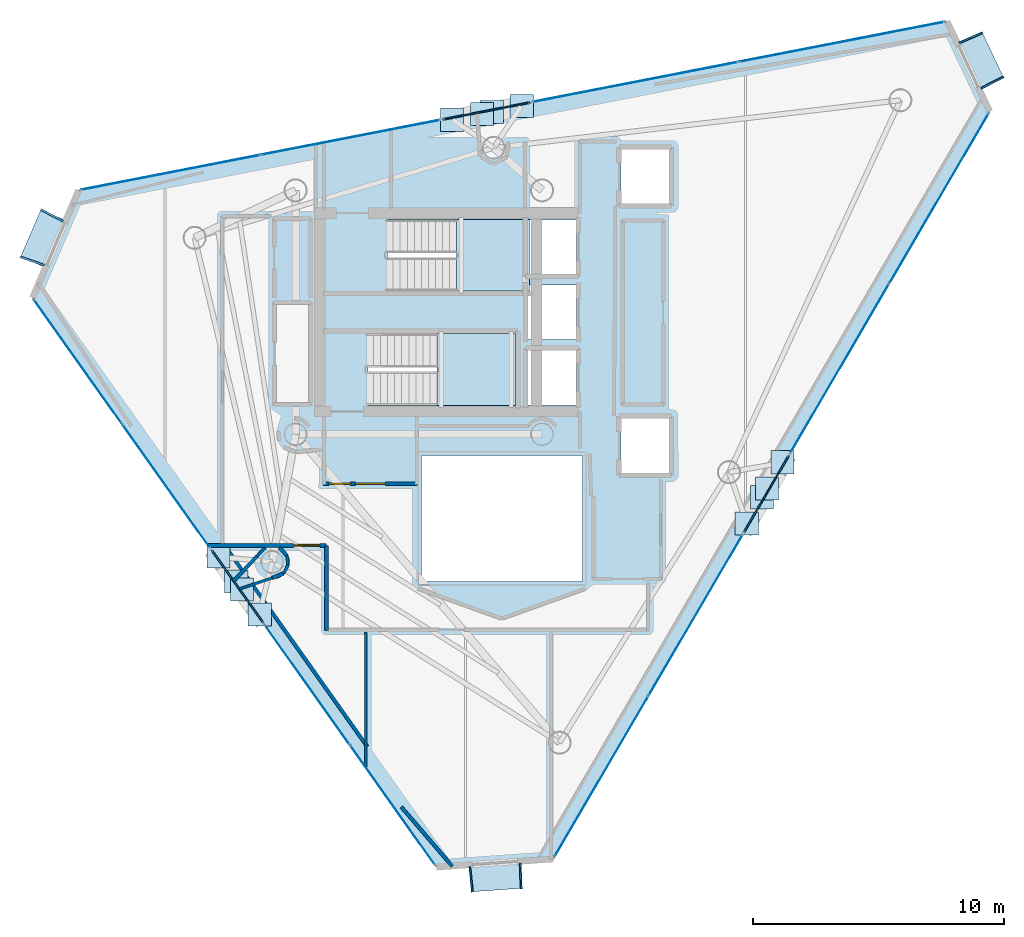
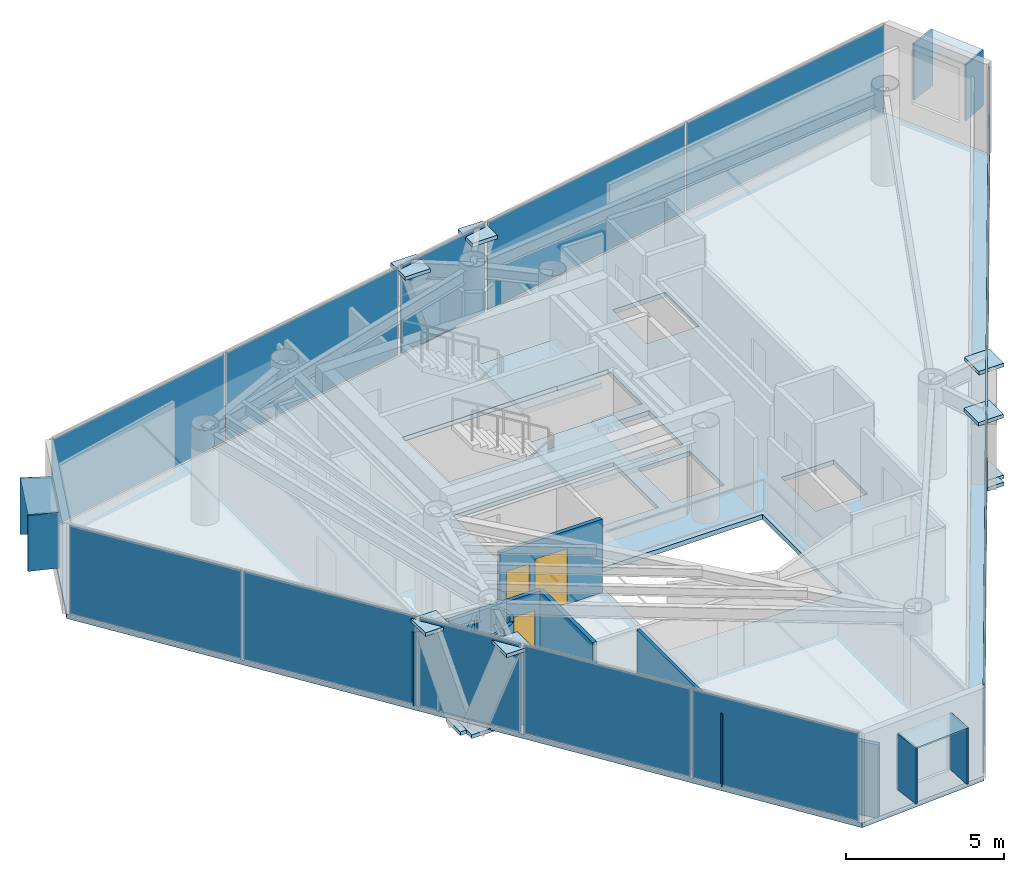
# One storey, part 17 of 22: 36 plates, 13 walls, 3 doors, 3 slabs, 3 openings, 11 elements without a shape of their own.
"""IFC4 building model written with IfcOpenShell, lengths in metres."""

from ifc_helpers import new_model, si_unit, direction, frame, frame_2d, origin, origin_2d, place, context, subcontext, project, spatial, polyline, rectangle, outline, extrude, material, layer, layer_set, type_object, element, fill, aggregate, save


model = new_model("IFC4")

# Units and contexts
model_context = context("Model", 3, precision=1e-05, world=origin(), true_north=direction((0.0, 1.0)))
body_context = subcontext(model_context, "Body", "Model", "MODEL_VIEW")
ifc_project = project(units=[si_unit("LENGTHUNIT", "METRE"), si_unit("AREAUNIT", "SQUARE_METRE"), si_unit("VOLUMEUNIT", "CUBIC_METRE"), si_unit("PLANEANGLEUNIT", "RADIAN"), si_unit("MASSUNIT", "GRAM", prefix="KILO")], contexts=[model_context])

# Site, building, storey
site_placement = place(None, origin())
site = spatial("IfcSite", under=ifc_project, at=site_placement, CompositionType="ELEMENT")
building_placement = place(site_placement, origin())
building = spatial("IfcBuilding", under=site, at=building_placement, Name="Qianvela Tower", CompositionType="ELEMENT")
storey_placement = place(building_placement, frame((0.0, 0.0, 299.10009765625)))
storey = spatial("IfcBuildingStorey", under=building, at=storey_placement, Name="L77", CompositionType="ELEMENT", Elevation=299.10009765625)

# Curtain wall, plate
ifc_material_1 = material(Name="Anodised Architectural Aluminium and Insulated Spandrel Panel", Category="aluminium")
ifc_layer_1 = layer(ifc_material_1, 0.179931640625)
ifc_layer_set_1 = layer_set([ifc_layer_1], Name="Anodised Architectural Aluminium and Insulated Spandrel Panel")
curtain_wall_type_1 = type_object("IfcCurtainWallType", Name="CW-BRACEBAY", PredefinedType="USERDEFINED", material=ifc_layer_set_1)
curtain_wall_1_placement = place(storey_placement, origin())
curtain_wall_1 = element("IfcCurtainWall", 1, at=curtain_wall_1_placement, inside=storey, type_object=curtain_wall_type_1, Name="L77 CW-BRACEBAY Curtain Wall 02B", ObjectType="CURTAIN_WALL_SYSTEM", PredefinedType="USERDEFINED")
ifc_material_2 = material(Name="Insulated Aluminium Spandrel Panel with Mineral-Wool Backpan", Category="aluminium")
ifc_layer_2 = layer(ifc_material_2, 0.06005859375)
ifc_layer_set_2 = layer_set([ifc_layer_2], Name="Insulated Aluminium Spandrel Panel with Mineral-Wool Backpan")
plate_type_1 = type_object("IfcPlateType", Name="CW-BRACEBAY-PNL", PredefinedType="CURTAIN_PANEL", material=ifc_layer_set_2)
plate_1_placement = place(storey_placement, frame((36.189697265625, 36.707275390625, 0.06494140625), z_axis=(0.0, 0.0, 1.0), x_axis=(-0.98160283963, -0.190934190834, 0.0)))
plate_1 = element("IfcPlate", 2, at=plate_1_placement, type_object=plate_type_1, Name="CW-9 panel 1.1", PredefinedType="CURTAIN_PANEL", context=body_context, shape_type="SweptSolid", body=[
    extrude(rectangle(XDim=3.52001953125, YDim=0.06005859375, at=origin_2d()), origin(), (0.0, 0.0, 1.0), 3.389892578125),
])
aggregate(curtain_wall_1, [plate_1])

curtain_wall_2_placement = place(storey_placement, origin())
curtain_wall_2 = element("IfcCurtainWall", 3, at=curtain_wall_2_placement, inside=storey, type_object=curtain_wall_type_1, Name="L77 CW-BRACEBAY Curtain Wall 04B", ObjectType="CURTAIN_WALL_SYSTEM", PredefinedType="USERDEFINED")
plate_2_placement = place(storey_placement, frame((26.290283203125, 17.796630859375, 0.06494140625), z_axis=(0.0, 0.0, 1.0), x_axis=(0.578720628429, -0.815525863619, 0.0)))
plate_2 = element("IfcPlate", 4, at=plate_2_placement, type_object=plate_type_1, Name="CW-9 panel 1.1", PredefinedType="CURTAIN_PANEL", context=body_context, shape_type="SweptSolid", body=[
    extrude(rectangle(XDim=3.530029296875, YDim=0.06005859375, at=origin_2d()), origin(), (0.0, 0.0, 1.0), 3.389892578125),
])
aggregate(curtain_wall_2, [plate_2])

curtain_wall_3_placement = place(storey_placement, origin())
curtain_wall_3 = element("IfcCurtainWall", 5, at=curtain_wall_3_placement, inside=storey, type_object=curtain_wall_type_1, Name="L77 CW-BRACEBAY Curtain Wall 06B", ObjectType="CURTAIN_WALL_SYSTEM", PredefinedType="USERDEFINED")
plate_3_placement = place(storey_placement, frame((47.320556640625, 21.478515625, 0.06494140625), z_axis=(0.0, 0.0, 1.0), x_axis=(0.504330889305, 0.863510482909, 0.0)))
plate_3 = element("IfcPlate", 6, at=plate_3_placement, type_object=plate_type_1, Name="CW-9 panel 1.1", PredefinedType="CURTAIN_PANEL", context=body_context, shape_type="SweptSolid", body=[
    extrude(rectangle(XDim=3.52001953125, YDim=0.06005859375, at=origin_2d()), origin(), (0.0, 0.0, 1.0), 3.389892578125),
])
aggregate(curtain_wall_3, [plate_3])

# Curtain wall, plates
ifc_material_3 = material(Name="Anodised Architectural Aluminium and Low-E Glass", Category="aluminium")
ifc_layer_3 = layer(ifc_material_3, 0.14990234375)
ifc_layer_set_3 = layer_set([ifc_layer_3], Name="Anodised Architectural Aluminium and Low-E Glass")
curtain_wall_type_2 = type_object("IfcCurtainWallType", Name="CW-COLIV-Z78", PredefinedType="USERDEFINED", material=ifc_layer_set_3)
curtain_wall_4_placement = place(storey_placement, origin())
curtain_wall_4 = element("IfcCurtainWall", 7, at=curtain_wall_4_placement, inside=storey, type_object=curtain_wall_type_2, Name="L77 CW-COLIV-Z78 Curtain Wall 02A", ObjectType="CURTAIN_WALL_SYSTEM", PredefinedType="USERDEFINED")
ifc_material_4 = material(Name="Double-Silver Low-E Insulated Glass", Category="glass")
ifc_layer_4 = layer(ifc_material_4, 0.02587890625)
ifc_layer_set_4 = layer_set([ifc_layer_4], Name="Double-Silver Low-E Insulated Glass")
plate_type_2 = type_object("IfcPlateType", Name="CW-COLIV-Z78-PNL", PredefinedType="CURTAIN_PANEL", material=ifc_layer_set_4)
plate_4_placement = place(storey_placement, frame((50.320068359375, 39.45556640625, 0.06005859375), z_axis=(0.0, 0.0, 1.0), x_axis=(-0.981603694842, -0.190929794093, 0.0)))
plate_4 = element("IfcPlate", 8, at=plate_4_placement, type_object=plate_type_2, Name="CW-6 panel 1.1", PredefinedType="CURTAIN_PANEL", context=body_context, shape_type="SweptSolid", body=[
    extrude(rectangle(XDim=8.300048828125, YDim=0.02587890625, at=origin_2d()), origin(), (0.0, 0.0, 1.0), 3.39990234375),
])
plate_5_placement = place(storey_placement, frame((42.11376953125, 37.859619140625, 0.06005859375), z_axis=(0.0, 0.0, 1.0), x_axis=(-0.981603694842, -0.190929794093, 0.0)))
plate_5 = element("IfcPlate", 9, at=plate_5_placement, type_object=plate_type_2, Name="CW-6 panel 2.1", PredefinedType="CURTAIN_PANEL", context=body_context, shape_type="SweptSolid", body=[
    extrude(rectangle(XDim=8.300048828125, YDim=0.02587890625, at=origin_2d()), origin(), (0.0, 0.0, 1.0), 3.39990234375),
])
aggregate(curtain_wall_4, [plate_4, plate_5])

curtain_wall_5_placement = place(storey_placement, origin())
curtain_wall_5 = element("IfcCurtainWall", 10, at=curtain_wall_5_placement, inside=storey, type_object=curtain_wall_type_2, Name="L77 CW-COLIV-Z78 Curtain Wall 02C", ObjectType="CURTAIN_WALL_SYSTEM", PredefinedType="USERDEFINED")
plate_6_placement = place(storey_placement, frame((30.791015625, 35.6572265625, 0.06005859375), z_axis=(0.0, 0.0, 1.0), x_axis=(-0.981603158363, -0.190932552207, 0.0)))
plate_6 = element("IfcPlate", 11, at=plate_6_placement, type_object=plate_type_2, Name="CW-6 panel 1.1", PredefinedType="CURTAIN_PANEL", context=body_context, shape_type="SweptSolid", body=[
    extrude(rectangle(XDim=7.22998046875, YDim=0.02587890625, at=origin_2d()), origin(), (0.0, 0.0, 1.0), 3.39990234375),
])
plate_7_placement = place(storey_placement, frame((23.63525390625, 34.265380859375, 0.06005859375), z_axis=(0.0, 0.0, 1.0), x_axis=(-0.981603158363, -0.190932552207, 0.0)))
plate_7 = element("IfcPlate", 12, at=plate_7_placement, type_object=plate_type_2, Name="CW-6 panel 2.1", PredefinedType="CURTAIN_PANEL", context=body_context, shape_type="SweptSolid", body=[
    extrude(rectangle(XDim=7.22998046875, YDim=0.02587890625, at=origin_2d()), origin(), (0.0, 0.0, 1.0), 3.39990234375),
])
aggregate(curtain_wall_5, [plate_6, plate_7])

curtain_wall_6_placement = place(storey_placement, origin())
curtain_wall_6 = element("IfcCurtainWall", 13, at=curtain_wall_6_placement, inside=storey, type_object=curtain_wall_type_2, Name="L77 CW-COLIV-Z78 Curtain Wall 04A", ObjectType="CURTAIN_WALL_SYSTEM", PredefinedType="USERDEFINED")
plate_8_placement = place(storey_placement, frame((19.944580078125, 26.739013671875, 0.06005859375), z_axis=(0.0, 0.0, 1.0), x_axis=(0.578712363681, -0.815531728459, 0.0)))
plate_8 = element("IfcPlate", 14, at=plate_8_placement, type_object=plate_type_2, Name="CW-6 panel 1.1", PredefinedType="CURTAIN_PANEL", context=body_context, shape_type="SweptSolid", body=[
    extrude(rectangle(XDim=6.010009765625, YDim=0.02587890625, at=origin_2d()), origin(), (0.0, 0.0, 1.0), 3.39990234375),
])
plate_9_placement = place(storey_placement, frame((23.45751953125, 21.788818359375, 0.06005859375), z_axis=(0.0, 0.0, 1.0), x_axis=(0.578712363681, -0.815531728459, 0.0)))
plate_9 = element("IfcPlate", 15, at=plate_9_placement, type_object=plate_type_2, Name="CW-6 panel 2.1", PredefinedType="CURTAIN_PANEL", context=body_context, shape_type="SweptSolid", body=[
    extrude(rectangle(XDim=6.010009765625, YDim=0.02587890625, at=origin_2d()), origin(), (0.0, 0.0, 1.0), 3.39990234375),
])
aggregate(curtain_wall_6, [plate_8, plate_9])

curtain_wall_7_placement = place(storey_placement, origin())
curtain_wall_7 = element("IfcCurtainWall", 16, at=curtain_wall_7_placement, inside=storey, type_object=curtain_wall_type_2, Name="L77 CW-COLIV-Z78 Curtain Wall 04C", ObjectType="CURTAIN_WALL_SYSTEM", PredefinedType="USERDEFINED")
plate_10_placement = place(storey_placement, frame((29.064453125, 13.887451171875, 0.06005859375), z_axis=(0.0, 0.0, 1.0), x_axis=(0.578718629985, -0.815527281768, 0.0)))
plate_10 = element("IfcPlate", 17, at=plate_10_placement, type_object=plate_type_2, Name="CW-6 panel 1.1", PredefinedType="CURTAIN_PANEL", context=body_context, shape_type="SweptSolid", body=[
    extrude(rectangle(XDim=5.80712890625, YDim=0.02587890625, at=origin_2d()), origin(), (0.0, 0.0, 1.0), 3.39990234375),
])
plate_11_placement = place(storey_placement, frame((32.459716796875, 9.1025390625, 0.06005859375), z_axis=(0.0, 0.0, 1.0), x_axis=(0.578718629985, -0.815527281768, 0.0)))
plate_11 = element("IfcPlate", 18, at=plate_11_placement, type_object=plate_type_2, Name="CW-6 panel 2.1", PredefinedType="CURTAIN_PANEL", context=body_context, shape_type="SweptSolid", body=[
    extrude(rectangle(XDim=5.80712890625, YDim=0.02587890625, at=origin_2d()), origin(), (0.0, 0.0, 1.0), 3.39990234375),
])
aggregate(curtain_wall_7, [plate_10, plate_11])

curtain_wall_8_placement = place(storey_placement, origin())
curtain_wall_8 = element("IfcCurtainWall", 19, at=curtain_wall_8_placement, inside=storey, type_object=curtain_wall_type_2, Name="L77 CW-COLIV-Z78 Curtain Wall 06A", ObjectType="CURTAIN_WALL_SYSTEM", PredefinedType="USERDEFINED")
plate_12_placement = place(storey_placement, frame((40.760498046875, 10.24658203125, 0.06005859375), z_axis=(0.0, 0.0, 1.0), x_axis=(0.5043332139, 0.863509125231, 0.0)))
plate_12 = element("IfcPlate", 20, at=plate_12_placement, type_object=plate_type_2, Name="CW-6 panel 1.1", PredefinedType="CURTAIN_PANEL", context=body_context, shape_type="SweptSolid", body=[
    extrude(rectangle(XDim=7.375, YDim=0.02587890625, at=origin_2d()), origin(), (0.0, 0.0, 1.0), 3.39990234375),
])
plate_13_placement = place(storey_placement, frame((44.51025390625, 16.666748046875, 0.06005859375), z_axis=(0.0, 0.0, 1.0), x_axis=(0.5043332139, 0.863509125231, 0.0)))
plate_13 = element("IfcPlate", 21, at=plate_13_placement, type_object=plate_type_2, Name="CW-6 panel 2.1", PredefinedType="CURTAIN_PANEL", context=body_context, shape_type="SweptSolid", body=[
    extrude(rectangle(XDim=7.375, YDim=0.02587890625, at=origin_2d()), origin(), (0.0, 0.0, 1.0), 3.39990234375),
])
aggregate(curtain_wall_8, [plate_12, plate_13])

curtain_wall_9_placement = place(storey_placement, origin())
curtain_wall_9 = element("IfcCurtainWall", 22, at=curtain_wall_9_placement, inside=storey, type_object=curtain_wall_type_2, Name="L77 CW-COLIV-Z78 Curtain Wall 06C", ObjectType="CURTAIN_WALL_SYSTEM", PredefinedType="USERDEFINED")
plate_14_placement = place(storey_placement, frame((50.23193359375, 26.463623046875, 0.06005859375), z_axis=(0.0, 0.0, 1.0), x_axis=(0.504332191357, 0.863509722447, 0.0)))
plate_14 = element("IfcPlate", 23, at=plate_14_placement, type_object=plate_type_2, Name="CW-6 panel 1.1", PredefinedType="CURTAIN_PANEL", context=body_context, shape_type="SweptSolid", body=[
    extrude(rectangle(XDim=7.775634765625, YDim=0.02587890625, at=origin_2d()), origin(), (0.0, 0.0, 1.0), 3.39990234375),
])
plate_15_placement = place(storey_placement, frame((54.183837890625, 33.229736328125, 0.06005859375), z_axis=(0.0, 0.0, 1.0), x_axis=(0.504332191357, 0.863509722447, 0.0)))
plate_15 = element("IfcPlate", 24, at=plate_15_placement, type_object=plate_type_2, Name="CW-6 panel 2.1", PredefinedType="CURTAIN_PANEL", context=body_context, shape_type="SweptSolid", body=[
    extrude(rectangle(XDim=7.775634765625, YDim=0.02587890625, at=origin_2d()), origin(), (0.0, 0.0, 1.0), 3.39990234375),
])
aggregate(curtain_wall_9, [plate_14, plate_15])

# Plates
ifc_material_5 = material(Name="Steel Q420GJC", Category="steel")
ifc_layer_5 = layer(ifc_material_5, 0.139892578125)
ifc_layer_set_5 = layer_set([ifc_layer_5], Name="Steel Q420GJC")
plate_type_3 = type_object("IfcPlateType", Name="PT-GUSSET-NODE-140", PredefinedType="USERDEFINED", material=ifc_layer_set_5)
for number, where, z_axis, x_axis, name in (
    (25, (36.4013671875, 36.6669921875, -0.271484375), (0.0, 0.0, 1.0), (1.0, 0.0, 0.0), "L77 Node Gusset Plate A"),
    (26, (37.5927734375, 36.898681640625, 3.20947265625), (0.0, 0.0, 1.0), (1.0, 0.0, 0.0), "L77 Node Gusset Plate B"),
    (27, (36.011474609375, 36.591064453125, -0.271484375), (0.0, 0.0, 1.0), (1.0, 0.0, 0.0), "L77 Node Gusset Plate A"),
    (28, (34.820068359375, 36.359375, 3.20947265625), (0.0, 0.0, 1.0), (1.0, 0.0, 0.0), "L77 Node Gusset Plate B"),
    (29, (26.241455078125, 18.003662109375, -0.271484375), (0.0, 0.0, 1.0), (1.0, 0.0, 0.0), "L77 Node Gusset Plate A"),
    (30, (25.5390625, 18.99365234375, 3.20947265625), (0.0, 0.0, 1.0), (1.0, 0.0, 0.0), "L77 Node Gusset Plate B"),
    (31, (26.47119140625, 17.679931640625, -0.271484375), (0.0, 0.0, 1.0), (1.0, 0.0, 0.0), "L77 Node Gusset Plate A"),
    (32, (27.173583984375, 16.68994140625, 3.20947265625), (0.0, 0.0, 1.0), (1.0, 0.0, 0.0), "L77 Node Gusset Plate B"),
    (33, (47.150634765625, 21.34619140625, -0.271484375), (0.0, 0.0, 1.0), (1.0, 0.0, 0.0), "L77 Node Gusset Plate A"),
    (34, (46.538330078125, 20.298095703125, 3.20947265625), (0.0, 0.0, 1.0), (1.0, 0.0, 0.0), "L77 Node Gusset Plate B"),
    (35, (47.350830078125, 21.68896484375, -0.271484375), (0.0, 0.0, 1.0), (1.0, 0.0, 0.0), "L77 Node Gusset Plate A"),
    (36, (47.962890625, 22.7373046875, 3.20947265625), (0.0, 0.0, 1.0), (1.0, 0.0, 0.0), "L77 Node Gusset Plate B"),
):
    element("IfcPlate", number, at=place(storey_placement, frame(where, z_axis=z_axis, x_axis=x_axis)), inside=storey, type_object=plate_type_3, Name=name, ObjectType="GUSSET_PLATE", PredefinedType="USERDEFINED", context=body_context, shape_type="SweptSolid", body=[
        extrude(rectangle(XDim=0.919921875, YDim=0.919921875, at=origin_2d()), origin(), (0.0, 0.0, 1.0), 0.139892578125),
    ])

# Slab
ifc_material_6 = material(Name="Concrete C40", Category="concrete")
ifc_layer_6 = layer(ifc_material_6, 0.179931640625)
ifc_layer_set_6 = layer_set([ifc_layer_6], Name="Concrete C40")
slab_type_1 = type_object("IfcSlabType", Name="SL-FLOOR-180", PredefinedType="FLOOR", material=ifc_layer_set_6)
slab_1_placement = place(storey_placement, frame((0.0, 0.0, -0.18017578125)))
element("IfcSlab", 37, at=slab_1_placement, inside=storey, type_object=slab_type_1, Name="L77 Composite Structural Floor Slab", PredefinedType="FLOOR", context=body_context, shape_type="SweptSolid", body=[
    extrude(outline(polyline([(56.2001953125, 36.681884765625), (54.501708984375, 40.26904296875), (19.97900390625, 33.55419921875), (18.14208984375, 29.279296875), (34.203857421875, 6.64501953125), (38.84521484375, 6.96728515625), (56.2001953125, 36.681884765625)]), holes=[polyline([(40.0, 23.0), (33.60009765625, 23.0), (33.60009765625, 18.0), (40.0, 18.0), (40.0, 23.0)]), polyline([(43.4599609375, 24.47998046875), (41.5400390625, 24.47998046875), (41.5400390625, 22.320068359375), (43.4599609375, 22.320068359375), (43.4599609375, 24.47998046875)]), polyline([(39.760009765625, 27.179931640625), (37.840087890625, 27.179931640625), (37.840087890625, 25.02001953125), (39.760009765625, 25.02001953125), (39.760009765625, 27.179931640625)]), polyline([(37.35009765625, 27.860107421875), (31.469970703125, 27.860107421875), (31.469970703125, 25.0), (37.35009765625, 25.0), (37.35009765625, 27.860107421875)]), polyline([(39.760009765625, 27.6201171875), (39.760009765625, 29.780029296875), (37.89990234375, 29.780029296875), (37.89990234375, 30.219970703125), (39.760009765625, 30.219970703125), (39.760009765625, 32.3798828125), (37.89990234375, 32.3798828125), (37.89990234375, 32.39990234375), (32.25, 32.39990234375), (32.25, 29.5400390625), (37.840087890625, 29.5400390625), (37.840087890625, 27.6201171875), (39.760009765625, 27.6201171875)]), polyline([(43.4599609375, 35.179931640625), (41.5400390625, 35.179931640625), (41.5400390625, 33.02001953125), (43.4599609375, 33.02001953125), (43.4599609375, 35.179931640625)])]), origin(), (0.0, 0.0, 1.0), 0.18017578125),
])

# Stair, slab
ifc_material_7 = material(Name="Concrete C40", Category="concrete")
stair_type = type_object("IfcStairType", Name="ST-DOGLEG-1350-R168-N22", PredefinedType="HALF_TURN_STAIR", material=ifc_material_7)
stair_1_placement = place(storey_placement, origin())
stair_1 = element("IfcStair", 38, at=stair_1_placement, inside=storey, type_object=stair_type, Name="L77 Smoke-Proof Core Stair ST-1", PredefinedType="HALF_TURN_STAIR")
ifc_material_8 = material(Name="Concrete C40", Category="concrete")
ifc_layer_7 = layer(ifc_material_8, 0.199951171875)
ifc_layer_set_7 = layer_set([ifc_layer_7], Name="Concrete C40")
slab_type_2 = type_object("IfcSlabType", Name="SL-STAIR-LANDING-200", PredefinedType="LANDING", material=ifc_layer_set_7)
slab_2_placement = place(storey_placement, frame((0.0, 0.0, 1.64990234375)))
slab_2 = element("IfcSlab", 39, at=slab_2_placement, type_object=slab_type_2, Name="ST-1 landing 1", PredefinedType="LANDING", context=body_context, shape_type="SweptSolid", body=[
    extrude(outline(polyline([(35.0, 29.5400390625), (37.89990234375, 29.5400390625), (37.89990234375, 32.39990234375), (35.0, 32.39990234375), (35.0, 29.5400390625)])), origin(), (0.0, 0.0, 1.0), 0.199951171875),
])
aggregate(stair_1, [slab_2])

stair_2_placement = place(storey_placement, origin())
stair_2 = element("IfcStair", 40, at=stair_2_placement, inside=storey, type_object=stair_type, Name="L77 Smoke-Proof Core Stair ST-2", PredefinedType="HALF_TURN_STAIR")
slab_3_placement = place(storey_placement, frame((0.0, 0.0, 1.64990234375)))
slab_3 = element("IfcSlab", 41, at=slab_3_placement, type_object=slab_type_2, Name="ST-2 landing 1", PredefinedType="LANDING", context=body_context, shape_type="SweptSolid", body=[
    extrude(outline(polyline([(34.219970703125, 25.0), (37.35009765625, 25.0), (37.35009765625, 27.860107421875), (34.219970703125, 27.860107421875), (34.219970703125, 25.0)])), origin(), (0.0, 0.0, 1.0), 0.199951171875),
])
aggregate(stair_2, [slab_3])

# Plates
ifc_material_9 = material(Name="Vitrified Architectural Terracotta Panel", Category="masonry")
ifc_layer_8 = layer(ifc_material_9, 0.06494140625)
ifc_layer_set_8 = layer_set([ifc_layer_8], Name="Vitrified Architectural Terracotta Panel")
plate_type_4 = type_object("IfcPlateType", Name="TERRACOTTA-SUNSHADE-HOOD-FOLD-B", PredefinedType="USERDEFINED", material=ifc_layer_set_8)
for number, where, z_axis, x_axis, name in (
    (42, (55.879638671875, 38.725830078125, 2.9599609375), (0.0, 0.0, 1.0), (-0.427962111881, 0.903796675583, 0.0), "L77 Terracotta Sunshade Hood FOLD-B"),
    (43, (36.565185546875, 6.222412109375, 2.9599609375), (0.0, 0.0, 1.0), (0.997596327725, 0.06929333957, 0.0), "L77 Terracotta Sunshade Hood FOLD-B"),
):
    element("IfcPlate", number, at=place(storey_placement, frame(where, z_axis=z_axis, x_axis=x_axis)), inside=storey, type_object=plate_type_4, Name=name, ObjectType="SUNSHADE", PredefinedType="USERDEFINED", context=body_context, shape_type="SweptSolid", body=[
        extrude(rectangle(XDim=2.0400390625, YDim=0.989990234375, at=origin_2d()), origin(), (0.0, 0.0, 1.0), 0.06005859375),
    ])
ifc_material_10 = material(Name="Vitrified Architectural Terracotta Panel", Category="masonry")
ifc_layer_9 = layer(ifc_material_10, 0.074951171875)
ifc_layer_set_9 = layer_set([ifc_layer_9], Name="Vitrified Architectural Terracotta Panel")
plate_type_5 = type_object("IfcPlateType", Name="TERRACOTTA-SUNSHADE-HOOD-FOLD-D", PredefinedType="USERDEFINED", material=ifc_layer_set_9)
plate_16_placement = place(storey_placement, frame((18.52294921875, 31.647705078125, 2.9599609375), z_axis=(0.0, 0.0, 1.0), x_axis=(-0.394806395604, -0.918764338658, 0.0)))
element("IfcPlate", 44, at=plate_16_placement, inside=storey, type_object=plate_type_5, Name="L77 Terracotta Sunshade Hood FOLD-D", ObjectType="SUNSHADE", PredefinedType="USERDEFINED", context=body_context, shape_type="SweptSolid", body=[
    extrude(rectangle(XDim=2.0400390625, YDim=0.989990234375, at=origin_2d()), origin(), (0.0, 0.0, 1.0), 0.06005859375),
])
ifc_material_11 = material(Name="Vitrified Architectural Terracotta Side Fin Panel", Category="masonry")
ifc_layer_10 = layer(ifc_material_11, 0.070068359375)
ifc_layer_set_10 = layer_set([ifc_layer_10], Name="Vitrified Architectural Terracotta Side Fin Panel")
plate_type_6 = type_object("IfcPlateType", Name="TERRACOTTA-SUNSHADE-STRUT-FOLD-B", PredefinedType="USERDEFINED", material=ifc_layer_set_10)
for number, where, z_axis, x_axis, name in (
    (45, (56.30322265625, 37.8310546875, 0.85009765625), (0.0, 0.0, 1.0), (-0.455363113146, 0.890305809925, 0.0), "L77 Terracotta Sunshade Side Fin HL FOLD-B"),
    (46, (55.455810546875, 39.62060546875, 0.85009765625), (0.0, 0.0, 1.0), (-0.400161899714, 0.916444463139, 0.0), "L77 Terracotta Sunshade Side Fin HR FOLD-B"),
    (47, (35.577392578125, 6.15380859375, 0.85009765625), (0.0, 0.0, 1.0), (0.995014924091, 0.099726129154, 0.0), "L77 Terracotta Sunshade Side Fin HL FOLD-B"),
    (48, (37.552734375, 6.291015625, 0.85009765625), (0.0, 0.0, 1.0), (0.999247155223, 0.03879591189, 0.0), "L77 Terracotta Sunshade Side Fin HR FOLD-B"),
):
    element("IfcPlate", number, at=place(storey_placement, frame(where, z_axis=z_axis, x_axis=x_axis)), inside=storey, type_object=plate_type_6, Name=name, ObjectType="SUNSHADE", PredefinedType="USERDEFINED", context=body_context, shape_type="SweptSolid", body=[
        extrude(rectangle(XDim=0.070068359375, YDim=1.010009765625, at=origin_2d()), origin(), (0.0, 0.0, 1.0), 2.159912109375),
    ])
ifc_material_12 = material(Name="Vitrified Architectural Terracotta Side Fin Panel", Category="masonry")
ifc_layer_11 = layer(ifc_material_12, 0.080078125)
ifc_layer_set_11 = layer_set([ifc_layer_11], Name="Vitrified Architectural Terracotta Side Fin Panel")
plate_type_7 = type_object("IfcPlateType", Name="TERRACOTTA-SUNSHADE-STRUT-FOLD-D", PredefinedType="USERDEFINED", material=ifc_layer_set_11)
for number, where, z_axis, x_axis, name in (
    (49, (18.913818359375, 32.557373046875, 0.85009765625), (0.0, 0.0, 1.0), (-0.461808989077, -0.886979400892, 0.0), "L77 Terracotta Sunshade Side Fin HL FOLD-D"),
    (50, (18.132080078125, 30.738037109375, 0.85009765625), (0.0, 0.0, 1.0), (-0.325632513111, -0.945496412688, 0.0), "L77 Terracotta Sunshade Side Fin HR FOLD-D"),
):
    element("IfcPlate", number, at=place(storey_placement, frame(where, z_axis=z_axis, x_axis=x_axis)), inside=storey, type_object=plate_type_7, Name=name, ObjectType="SUNSHADE", PredefinedType="USERDEFINED", context=body_context, shape_type="SweptSolid", body=[
        extrude(rectangle(XDim=0.080078125, YDim=1.010009765625, at=origin_2d()), origin(), (0.0, 0.0, 1.0), 2.159912109375),
    ])

# Wall, openings, doors
ifc_material_13 = material(Name="Fire-Rated Acoustic Gypsum Board")
ifc_layer_12 = layer(ifc_material_13, 0.14990234375)
ifc_layer_set_12 = layer_set([ifc_layer_12], Name="Fire-Rated Acoustic Gypsum Board")
wall_type_1 = type_object("IfcWallType", Name="WT-CORR-150", PredefinedType="PARTITIONING", material=ifc_layer_set_12)
wall_1_placement = place(storey_placement, frame((33.449951171875, 21.881103515625, 0.0), z_axis=(0.0, 0.0, 1.0), x_axis=(-1.0, 0.0, 0.0)))
wall_1 = element("IfcWall", 51, at=wall_1_placement, inside=storey, type_object=wall_type_1, Name="L77 Partition 6", PredefinedType="PARTITIONING", context=body_context, shape_type="SweptSolid", body=[
    extrude(rectangle(XDim=3.75, YDim=0.14990234375, at=frame_2d((1.875, 0.0))), origin(), (0.0, 0.0, 1.0), 2.83984375),
])
opening_1_placement = place(wall_1_placement, frame((1.27490234375, 0.0, 0.0)))
opening_1 = element("IfcOpeningElement", 52, at=opening_1_placement, cuts=wall_1, Name="Opening D-LB1", PredefinedType="OPENING", context=body_context, shape_type="SweptSolid", body=[
    extrude(rectangle(XDim=1.199951171875, YDim=2.14990234375, at=frame_2d((0.60009765625, 1.074951171875))), frame((0.0, 0.0849609375, 0.0), z_axis=(0.0, -1.0, 0.0), x_axis=(1.0, 0.0, 0.0)), (0.0, 0.0, 1.0), 0.169921875),
])
opening_2_placement = place(wall_1_placement, frame((2.659912109375, 0.0, 0.0)))
opening_2 = element("IfcOpeningElement", 53, at=opening_2_placement, cuts=wall_1, Name="Opening D-LB2", PredefinedType="OPENING", context=body_context, shape_type="SweptSolid", body=[
    extrude(rectangle(XDim=0.860107421875, YDim=2.050048828125, at=frame_2d((0.43017578125, 1.02490234375))), frame((0.0, 0.0849609375, 0.0), z_axis=(0.0, -1.0, 0.0), x_axis=(1.0, 0.0, 0.0)), (0.0, 0.0, 1.0), 0.169921875),
])
ifc_material_14 = material(Name="Glazed Fire-Rated Steel Frame", Category="steel")
door_type_1 = type_object("IfcDoorType", Name="DT-LOBBY-FD90", OperationType="NOTDEFINED", PredefinedType="DOOR", material=ifc_material_14)
door_1_placement = place(opening_1_placement, origin())
door_1 = element("IfcDoor", 54, at=door_1_placement, inside=storey, type_object=door_type_1, Name="L77 Door L77 Firefighting Lobby South to L77 Floor Corridor", OperationType="SINGLE_SWING_LEFT", OverallHeight=2.14990234375, OverallWidth=1.199951171875, PredefinedType="DOOR", context=body_context, shape_type="SweptSolid", body=[
    extrude(rectangle(XDim=1.199951171875, YDim=2.14990234375, at=frame_2d((0.60009765625, 1.074951171875))), frame((0.0, 0.02490234375, 0.0), z_axis=(0.0, -1.0, 0.0), x_axis=(1.0, 0.0, 0.0)), (0.0, 0.0, 1.0), 0.050048828125),
])
fill(opening_1, door_1)
ifc_material_15 = material(Name="Insulated Steel Fire Door Q355B", Category="steel")
door_type_2 = type_object("IfcDoorType", Name="DT-LOBBY-FD90-860", OperationType="NOTDEFINED", PredefinedType="DOOR", material=ifc_material_15)
door_2_placement = place(opening_2_placement, origin())
door_2 = element("IfcDoor", 55, at=door_2_placement, inside=storey, type_object=door_type_2, Name="L77 Door L77 Firefighting Lobby South to L77 Floor Corridor", OperationType="SINGLE_SWING_LEFT", OverallHeight=2.050048828125, OverallWidth=0.860107421875, PredefinedType="DOOR", context=body_context, shape_type="SweptSolid", body=[
    extrude(rectangle(XDim=0.860107421875, YDim=2.050048828125, at=frame_2d((0.43017578125, 1.02490234375))), frame((0.0, 0.02490234375, 0.0), z_axis=(0.0, -1.0, 0.0), x_axis=(1.0, 0.0, 0.0)), (0.0, 0.0, 1.0), 0.050048828125),
])
fill(opening_2, door_2)

# Wall
wall_2_placement = place(storey_placement, frame((29.8310546875, 16.050048828125, 0.0), z_axis=(0.0, 0.0, 1.0), x_axis=(0.0, 1.0, 0.0)))
element("IfcWall", 56, at=wall_2_placement, inside=storey, type_object=wall_type_1, Name="L77 Partition 71", PredefinedType="PARTITIONING", context=body_context, shape_type="SweptSolid", body=[
    extrude(rectangle(XDim=3.349853515625, YDim=0.14990234375, at=frame_2d((1.6748046875, 0.0))), origin(), (0.0, 0.0, 1.0), 2.83984375),
])

# Wall, opening, door
wall_3_placement = place(storey_placement, frame((29.800048828125, 19.430908203125, 0.0), z_axis=(0.0, 0.0, 1.0), x_axis=(-1.0, 0.0, 0.0)))
wall_3 = element("IfcWall", 57, at=wall_3_placement, inside=storey, type_object=wall_type_1, Name="L77 Partition 72", PredefinedType="PARTITIONING", context=body_context, shape_type="SweptSolid", body=[
    extrude(rectangle(XDim=4.689453125, YDim=0.14990234375, at=frame_2d((2.3447265625, 0.0))), origin(), (0.0, 0.0, 1.0), 2.83984375),
])
opening_3_placement = place(wall_3_placement, frame((0.22998046875, 0.0, 0.0)))
opening_3 = element("IfcOpeningElement", 58, at=opening_3_placement, cuts=wall_3, Name="Opening D-PL1", PredefinedType="OPENING", context=body_context, shape_type="SweptSolid", body=[
    extrude(rectangle(XDim=1.050048828125, YDim=2.14990234375, at=frame_2d((0.52490234375, 1.074951171875))), frame((0.0, 0.0849609375, 0.0), z_axis=(0.0, -1.0, 0.0), x_axis=(1.0, 0.0, 0.0)), (0.0, 0.0, 1.0), 0.169921875),
])
ifc_material_16 = material(Name="Insulated Steel Fire Door Q355B", Category="steel")
door_type_3 = type_object("IfcDoorType", Name="DT-PLANT-FD90", OperationType="NOTDEFINED", PredefinedType="DOOR", material=ifc_material_16)
door_3_placement = place(opening_3_placement, origin())
door_3 = element("IfcDoor", 59, at=door_3_placement, inside=storey, type_object=door_type_3, Name="L77 Door Tutorial Breakout Seminar L77-01 to L77 Floor Corridor", OperationType="SINGLE_SWING_LEFT", OverallHeight=2.14990234375, OverallWidth=1.050048828125, PredefinedType="DOOR", context=body_context, shape_type="SweptSolid", body=[
    extrude(rectangle(XDim=1.050048828125, YDim=2.14990234375, at=frame_2d((0.52490234375, 1.074951171875))), frame((0.0, 0.02490234375, 0.0), z_axis=(0.0, -1.0, 0.0), x_axis=(1.0, 0.0, 0.0)), (0.0, 0.0, 1.0), 0.050048828125),
])
fill(opening_3, door_3)

# Walls
ifc_material_17 = material(Name="Lightweight Gypsum Room Partition")
ifc_layer_13 = layer(ifc_material_17, 0.10498046875)
ifc_layer_set_13 = layer_set([ifc_layer_13], Name="Lightweight Gypsum Room Partition")
wall_type_2 = type_object("IfcWallType", Name="WT-PART-105", PredefinedType="PARTITIONING", material=ifc_layer_set_13)
wall_4_placement = place(storey_placement, frame((31.393798828125, 15.97509765625, 0.0), z_axis=(0.0, 0.0, 1.0), x_axis=(0.0, -1.0, 0.0)))
element("IfcWall", 60, at=wall_4_placement, inside=storey, type_object=wall_type_2, Name="L77 Partition 74", PredefinedType="PARTITIONING", context=body_context, shape_type="SweptSolid", body=[
    extrude(rectangle(XDim=5.39013671875, YDim=0.10498046875, at=frame_2d((2.695068359375, 0.0))), origin(), (0.0, 0.0, 1.0), 2.83984375),
])
wall_5_placement = place(storey_placement, frame((27.381103515625, 19.34130859375, 0.0), z_axis=(0.0, 0.0, 1.0), x_axis=(-0.689047004353, -0.724716652073, 0.0)))
element("IfcWall", 61, at=wall_5_placement, inside=storey, type_object=wall_type_2, Name="L77 Partition 77", PredefinedType="PARTITIONING", context=body_context, shape_type="SweptSolid", body=[
    extrude(rectangle(XDim=0.43115234375, YDim=0.10498046875, at=frame_2d((0.215576171875, 0.0))), origin(), (0.0, 0.0, 1.0), 2.83984375),
])
wall_6_placement = place(storey_placement, frame((26.35986328125, 17.69873046875, 0.0), z_axis=(0.0, 0.0, 1.0), x_axis=(0.947806372533, 0.318846483727, 0.0)))
element("IfcWall", 62, at=wall_6_placement, inside=storey, type_object=wall_type_2, Name="L77 Partition 80", PredefinedType="PARTITIONING", context=body_context, shape_type="SweptSolid", body=[
    extrude(rectangle(XDim=1.369873046875, YDim=0.10498046875, at=frame_2d((0.68505859375, 0.0))), origin(), (0.0, 0.0, 1.0), 2.83984375),
])
wall_7_placement = place(storey_placement, frame((28.299072265625, 18.657958984375, 0.0), z_axis=(0.0, 0.0, 1.0), x_axis=(-0.097865889817, 0.995199611942, 0.0)))
element("IfcWall", 63, at=wall_7_placement, inside=storey, type_object=wall_type_2, Name="L77 Partition 83", PredefinedType="PARTITIONING", context=body_context, shape_type="SweptSolid", body=[
    extrude(rectangle(XDim=0.354248046875, YDim=0.10498046875, at=frame_2d((0.17724609375, 0.0))), origin(), (0.0, 0.0, 1.0), 2.83984375),
])
ifc_material_18 = material(Name="Insulated Gypsum Stud Partition")
ifc_layer_14 = layer(ifc_material_18, 0.1201171875)
ifc_layer_set_14 = layer_set([ifc_layer_14], Name="Insulated Gypsum Stud Partition")
wall_type_3 = type_object("IfcWallType", Name="WT-PART-120", PredefinedType="PARTITIONING", material=ifc_layer_set_14)
wall_8_placement = place(storey_placement, frame((28.128662109375, 18.328125, 0.0), z_axis=(0.0, 0.0, 1.0), x_axis=(0.471589913721, 0.881817981942, 0.0)))
element("IfcWall", 64, at=wall_8_placement, inside=storey, type_object=wall_type_3, Name="L77 Partition 82", PredefinedType="PARTITIONING", context=body_context, shape_type="SweptSolid", body=[
    extrude(rectangle(XDim=0.35400390625, YDim=0.1201171875, at=frame_2d((0.177001953125, 0.0))), origin(), (0.0, 0.0, 1.0), 2.83984375),
])
ifc_material_19 = material(Name="Acoustic Double Gypsum Stud Partition")
ifc_layer_15 = layer(ifc_material_19, 0.139892578125)
ifc_layer_set_15 = layer_set([ifc_layer_15], Name="Acoustic Double Gypsum Stud Partition")
wall_type_4 = type_object("IfcWallType", Name="WT-ROOM-140", PredefinedType="PARTITIONING", material=ifc_layer_set_15)
wall_9_placement = place(storey_placement, frame((31.449951171875, 11.4345703125, 0.0), z_axis=(0.0, 0.0, 1.0), x_axis=(-0.578718901732, 0.815527088929, 0.0)))
element("IfcWall", 65, at=wall_9_placement, inside=storey, type_object=wall_type_4, Name="L77 Partition 75", PredefinedType="PARTITIONING", context=body_context, shape_type="SweptSolid", body=[
    extrude(rectangle(XDim=9.691162109375, YDim=0.139892578125, at=frame_2d((4.845703125, 0.0))), origin(), (0.0, 0.0, 1.0), 2.83984375),
])
wall_10_placement = place(storey_placement, frame((27.07568359375, 19.010498046875, 0.0), z_axis=(0.0, 0.0, 1.0), x_axis=(-0.686853877434, -0.726795535934, 0.0)))
element("IfcWall", 66, at=wall_10_placement, inside=storey, type_object=wall_type_4, Name="L77 Partition 78 seg 1", PredefinedType="PARTITIONING", context=body_context, shape_type="SweptSolid", body=[
    extrude(rectangle(XDim=1.369140625, YDim=0.139892578125, at=frame_2d((0.6845703125, 0.0))), origin(), (0.0, 0.0, 1.0), 2.83984375),
])
wall_11_placement = place(storey_placement, frame((27.681884765625, 18.135498046875, 0.0), z_axis=(0.0, 0.0, 1.0), x_axis=(0.924048683901, 0.382274809242, 0.0)))
element("IfcWall", 67, at=wall_11_placement, inside=storey, type_object=wall_type_4, Name="L77 Partition 81 seg 1", PredefinedType="PARTITIONING", context=body_context, shape_type="SweptSolid", body=[
    extrude(rectangle(XDim=0.466796875, YDim=0.139892578125, at=frame_2d((0.2333984375, 0.0))), origin(), (0.0, 0.0, 1.0), 2.83984375),
])
wall_12_placement = place(storey_placement, frame((28.256103515625, 19.02880859375, 0.0), z_axis=(0.0, 0.0, 1.0), x_axis=(-0.689344198757, 0.724433969137, 0.0)))
element("IfcWall", 68, at=wall_12_placement, inside=storey, type_object=wall_type_4, Name="L77 Partition 84", PredefinedType="PARTITIONING", context=body_context, shape_type="SweptSolid", body=[
    extrude(rectangle(XDim=0.431396484375, YDim=0.139892578125, at=frame_2d((0.2158203125, 0.0))), origin(), (0.0, 0.0, 1.0), 2.83984375),
])
wall_13_placement = place(storey_placement, frame((34.830078125, 6.67138671875, 0.0), z_axis=(0.0, 0.0, 1.0), x_axis=(-0.651243792688, 0.75886858051, 0.0)))
element("IfcWall", 69, at=wall_13_placement, inside=storey, type_object=wall_type_4, Name="L77 Partition 117 seg 1", PredefinedType="PARTITIONING", context=body_context, shape_type="SweptSolid", body=[
    extrude(rectangle(XDim=3.110107421875, YDim=0.139892578125, at=frame_2d((1.55517578125, 0.0))), origin(), (0.0, 0.0, 1.0), 2.83984375),
])

save(model, "model.ifc")
